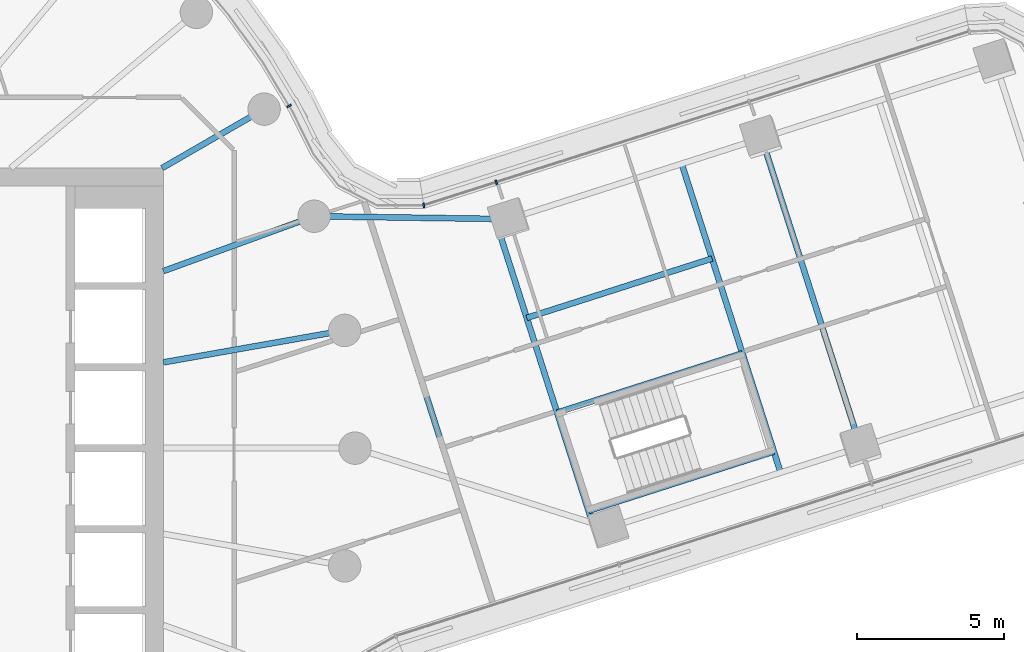
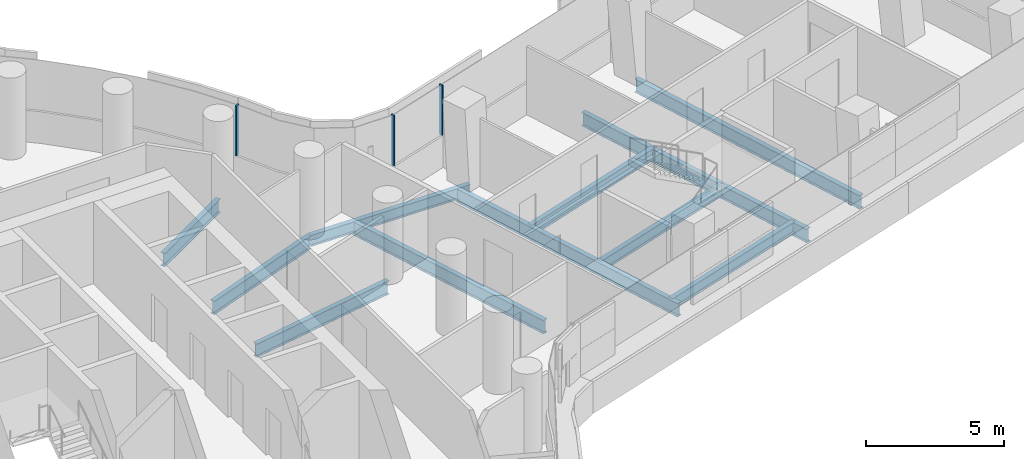
# One storey, part 11 of 30: 11 beams, 3 members, 2 elements without a shape of their own.
"""IFC4 building model written with IfcOpenShell, lengths in metres."""

from ifc_helpers import new_model, si_unit, direction, frame, origin, origin_2d, place, context, subcontext, project, spatial, rectangle, i_section, extrude, material, layer, layer_set, material_profile, profile_set, type_object, element, aggregate, save


model = new_model("IFC4")

# Units and contexts
model_context = context("Model", 3, precision=1e-05, world=origin(), true_north=direction((0.0, 1.0)))
body_context = subcontext(model_context, "Body", "Model", "MODEL_VIEW")
ifc_project = project(units=[si_unit("LENGTHUNIT", "METRE"), si_unit("AREAUNIT", "SQUARE_METRE"), si_unit("VOLUMEUNIT", "CUBIC_METRE"), si_unit("PLANEANGLEUNIT", "RADIAN"), si_unit("MASSUNIT", "GRAM", prefix="KILO")], contexts=[model_context])

# Site, building, storey
site_placement = place(None, origin())
site = spatial("IfcSite", under=ifc_project, at=site_placement, CompositionType="ELEMENT")
building_placement = place(site_placement, origin())
building = spatial("IfcBuilding", under=site, at=building_placement, Name="Tamarind Cross Interchange Tower", CompositionType="ELEMENT")
storey_placement = place(building_placement, frame((0.0, 0.0, 98.5)))
storey = spatial("IfcBuildingStorey", under=building, at=storey_placement, Name="L23", CompositionType="ELEMENT", Elevation=98.5)

# Beams
ifc_material_1 = material(Name="Steel Q355B", Category="steel")
ifc_material_profile_1 = material_profile(ifc_material_1, i_section(OverallWidth=0.198974609375, OverallDepth=0.49609375, WebThickness=0.009033203125, FlangeThickness=0.013916015625, FilletRadius=0.012939453125, at=origin_2d()), Name="HN 496x199x9x14")
ifc_profile_set_1 = profile_set([ifc_material_profile_1], Name="Steel Q355B")
beam_type_1 = type_object("IfcBeamType", Name="Composite beam HN 496x199x9x14 Q355B", PredefinedType="BEAM", material=ifc_profile_set_1)
beam_1_placement = place(storey_placement, frame((28.2265625, 7.769775390625, -0.387939453125), z_axis=(-0.999893167146, 0.014616918092, 0.0), x_axis=(-0.014616918092, -0.999893167146, 0.0)))
element("IfcBeam", 1, at=beam_1_placement, inside=storey, type_object=beam_type_1, Name="Beam E-linkep", PredefinedType="BEAM", context=body_context, shape_type="SweptSolid", body=[
    extrude(i_section(OverallWidth=0.198974609375, OverallDepth=0.49609375, WebThickness=0.009033203125, FlangeThickness=0.013916015625, FilletRadius=0.012939453125, at=origin_2d()), origin(), (0.0, 0.0, 1.0), 6.6142578125),
])
for number, where, z_axis, x_axis, name in (
    (2, (30.9248046875, -2.12890625, -0.387939453125), (0.952331760351, 0.3050642854, 0.0), (-0.3050642854, 0.952331760351, 0.0), "Beam E-tr0"),
    (3, (29.857177734375, 1.204345703125, -0.387939453125), (0.952331760351, 0.3050642854, 0.0), (-0.3050642854, 0.952331760351, 0.0), "Beam E-tr1"),
    (4, (28.82763671875, 4.41845703125, -0.387939453125), (0.952331760351, 0.3050642854, 0.0), (-0.3050642854, 0.952331760351, 0.0), "Beam E-stripp"),
):
    element("IfcBeam", number, at=place(storey_placement, frame(where, z_axis=z_axis, x_axis=x_axis)), inside=storey, type_object=beam_type_1, Name=name, PredefinedType="BEAM", context=body_context, shape_type="SweptSolid", body=[
        extrude(i_section(OverallWidth=0.198974609375, OverallDepth=0.49609375, WebThickness=0.009033203125, FlangeThickness=0.013916015625, FilletRadius=0.012939453125, at=origin_2d()), origin(), (0.0, 0.0, 1.0), 6.60009765625),
    ])
ifc_material_profile_2 = material_profile(ifc_material_1, i_section(OverallWidth=0.198974609375, OverallDepth=0.595947265625, WebThickness=0.010009765625, FlangeThickness=0.014892578125, FilletRadius=0.012939453125, at=origin_2d()), Name="HN 596x199x10x15")
ifc_profile_set_2 = profile_set([ifc_material_profile_2], Name="Steel Q355B")
beam_type_2 = type_object("IfcBeamType", Name="Composite beam HN 596x199x10x15 Q355B", PredefinedType="BEAM", material=ifc_profile_set_2)
beam_2_placement = place(storey_placement, frame((22.650634765625, 3.993896484375, -0.43798828125), z_axis=(-0.984809127561, -0.173640382036, 0.0), x_axis=(0.173640382036, -0.984809127561, 0.0)))
element("IfcBeam", 5, at=beam_2_placement, inside=storey, type_object=beam_type_2, Name="Beam HH01", PredefinedType="BEAM", context=body_context, shape_type="SweptSolid", body=[
    extrude(i_section(OverallWidth=0.198974609375, OverallDepth=0.595947265625, WebThickness=0.010009765625, FlangeThickness=0.014892578125, FilletRadius=0.012939453125, at=origin_2d()), origin(), (0.0, 0.0, 1.0), 6.24560546875),
])
beam_3_placement = place(storey_placement, frame((21.613037109375, 7.866455078125, -0.43798828125), z_axis=(-0.939701685589, -0.341995236956, 0.0), x_axis=(0.341995236956, -0.939701685589, 0.0)))
element("IfcBeam", 6, at=beam_3_placement, inside=storey, type_object=beam_type_2, Name="Beam HH02", PredefinedType="BEAM", context=body_context, shape_type="SweptSolid", body=[
    extrude(i_section(OverallWidth=0.198974609375, OverallDepth=0.595947265625, WebThickness=0.010009765625, FlangeThickness=0.014892578125, FilletRadius=0.012939453125, at=origin_2d()), origin(), (0.0, 0.0, 1.0), 5.441162109375),
])
beam_4_placement = place(storey_placement, frame((19.918701171875, 11.5, -0.43798828125), z_axis=(-0.866026010844, -0.49999894854, 0.0), x_axis=(0.49999894854, -0.866026010844, 0.0)))
element("IfcBeam", 7, at=beam_4_placement, inside=storey, type_object=beam_type_2, Name="Beam HH03", PredefinedType="BEAM", context=body_context, shape_type="SweptSolid", body=[
    extrude(i_section(OverallWidth=0.198974609375, OverallDepth=0.595947265625, WebThickness=0.010009765625, FlangeThickness=0.014892578125, FilletRadius=0.012939453125, at=origin_2d()), origin(), (0.0, 0.0, 1.0), 4.0),
])
ifc_material_profile_3 = material_profile(ifc_material_1, i_section(OverallWidth=0.199951171875, OverallDepth=0.60009765625, WebThickness=0.010986328125, FlangeThickness=0.01708984375, FilletRadius=0.012939453125, at=origin_2d()), Name="HN 600x200x11x17")
ifc_profile_set_3 = profile_set([ifc_material_profile_3], Name="Steel Q355B")
beam_type_3 = type_object("IfcBeamType", Name="Composite beam HN 600x200x11x17 Q355B", PredefinedType="BEAM", material=ifc_profile_set_3)
beam_5_placement = place(storey_placement, frame((31.056640625, -2.5400390625, -0.43994140625), z_axis=(-0.305070905667, 0.952329639629, 0.0), x_axis=(-0.952329639629, -0.305070905667, 0.0)))
element("IfcBeam", 8, at=beam_5_placement, inside=storey, type_object=beam_type_3, Name="Beam E-x298", PredefinedType="BEAM", context=body_context, shape_type="SweptSolid", body=[
    extrude(i_section(OverallWidth=0.199951171875, OverallDepth=0.60009765625, WebThickness=0.010986328125, FlangeThickness=0.01708984375, FilletRadius=0.012939453125, at=origin_2d()), origin(), (0.0, 0.0, 1.0), 10.833251953125),
])
for number, where, z_axis, x_axis, name in (
    (9, (37.43896484375, -0.829833984375, -0.43994140625), (-0.305039857755, 0.952339585012, 0.0), (-0.952339585012, -0.305039857755, 0.0), "Beam E-x364"),
    (10, (40.153076171875, 0.03955078125, -0.43994140625), (-0.305039857755, 0.952339585012, 0.0), (-0.952339585012, -0.305039857755, 0.0), "Beam E-x393"),
):
    element("IfcBeam", number, at=place(storey_placement, frame(where, z_axis=z_axis, x_axis=x_axis)), inside=storey, type_object=beam_type_3, Name=name, PredefinedType="BEAM", context=body_context, shape_type="SweptSolid", body=[
        extrude(i_section(OverallWidth=0.199951171875, OverallDepth=0.60009765625, WebThickness=0.010986328125, FlangeThickness=0.01708984375, FilletRadius=0.012939453125, at=origin_2d()), origin(), (0.0, 0.0, 1.0), 11.0),
    ])
beam_6_placement = place(storey_placement, frame((26.326171875, -1.048583984375, -0.43994140625), z_axis=(-0.305077557593, 0.952327508714, 0.0), x_axis=(-0.952327508714, -0.305077557593, 0.0)))
element("IfcBeam", 11, at=beam_6_placement, inside=storey, type_object=beam_type_3, Name="Beam E-x258", PredefinedType="BEAM", context=body_context, shape_type="SweptSolid", body=[
    extrude(i_section(OverallWidth=0.199951171875, OverallDepth=0.60009765625, WebThickness=0.010986328125, FlangeThickness=0.01708984375, FilletRadius=0.012939453125, at=origin_2d()), origin(), (0.0, 0.0, 1.0), 9.33251953125),
])

# Curtain wall, member
ifc_material_2 = material(Name="Aluminium 6063-T6", Category="aluminium")
ifc_layer = layer(ifc_material_2, 0.159912109375)
ifc_layer_set = layer_set([ifc_layer], Name="Aluminium 6063-T6")
curtain_wall_type = type_object("IfcCurtainWallType", Name="Office curtain wall, 9.0 m bays", PredefinedType="NOTDEFINED", material=ifc_layer_set)
curtain_wall_1_placement = place(storey_placement, origin())
curtain_wall_1 = element("IfcCurtainWall", 12, at=curtain_wall_1_placement, inside=storey, type_object=curtain_wall_type, Name="CWS-L23-01", PredefinedType="NOTDEFINED")
ifc_material_profile_4 = material_profile(ifc_material_2, rectangle(XDim=0.06005859375, YDim=0.159912109375, at=origin_2d()), Name="Mullion CW1")
ifc_profile_set_4 = profile_set([ifc_material_profile_4], Name="Aluminium 6063-T6")
member_type = type_object("IfcMemberType", Name="Mullion CW1", PredefinedType="MULLION", material=ifc_profile_set_4)
member_1_placement = place(storey_placement, frame((27.793212890625, 9.021728515625, 1.39990234375), z_axis=(0.0, 0.0, 1.0), x_axis=(-0.952773264992, -0.303682573614, 0.0)))
member_1 = element("IfcMember", 13, at=member_1_placement, type_object=member_type, Name="CWM-L23-01-02", PredefinedType="MULLION", context=body_context, shape_type="SweptSolid", body=[
    extrude(rectangle(XDim=0.06005859375, YDim=0.159912109375, at=origin_2d()), origin(), (0.0, 0.0, 1.0), 2.210205078125),
])
aggregate(curtain_wall_1, [member_1])

# Curtain wall, members
curtain_wall_2_placement = place(storey_placement, origin())
curtain_wall_2 = element("IfcCurtainWall", 14, at=curtain_wall_2_placement, inside=storey, type_object=curtain_wall_type, Name="CWS-L23-02", PredefinedType="NOTDEFINED")
member_2_placement = place(storey_placement, frame((25.332763671875, 8.2373046875, 1.39990234375), z_axis=(0.0, 0.0, 1.0), x_axis=(-0.988132427899, -0.153604377977, 0.0)))
member_2 = element("IfcMember", 15, at=member_2_placement, type_object=member_type, Name="CWM-L23-02-00", PredefinedType="MULLION", context=body_context, shape_type="SweptSolid", body=[
    extrude(rectangle(XDim=0.06005859375, YDim=0.159912109375, at=origin_2d()), origin(), (0.0, 0.0, 1.0), 2.210205078125),
])
member_3_placement = place(storey_placement, frame((20.762939453125, 11.608154296875, 1.39990234375), z_axis=(0.0, 0.0, 1.0), x_axis=(-0.515577308909, 0.856843065292, 0.0)))
member_3 = element("IfcMember", 16, at=member_3_placement, type_object=member_type, Name="CWM-L23-02-01", PredefinedType="MULLION", context=body_context, shape_type="SweptSolid", body=[
    extrude(rectangle(XDim=0.06005859375, YDim=0.159912109375, at=origin_2d()), origin(), (0.0, 0.0, 1.0), 2.210205078125),
])
aggregate(curtain_wall_2, [member_2, member_3])

save(model, "model.ifc")
